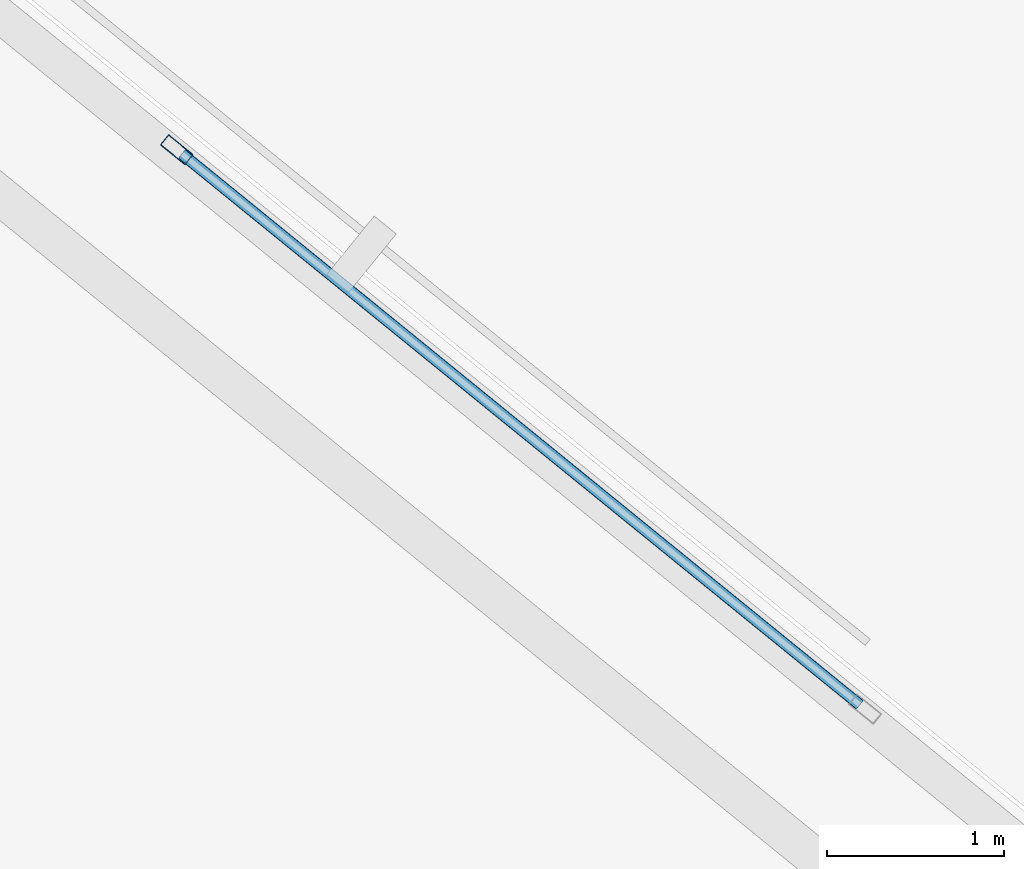
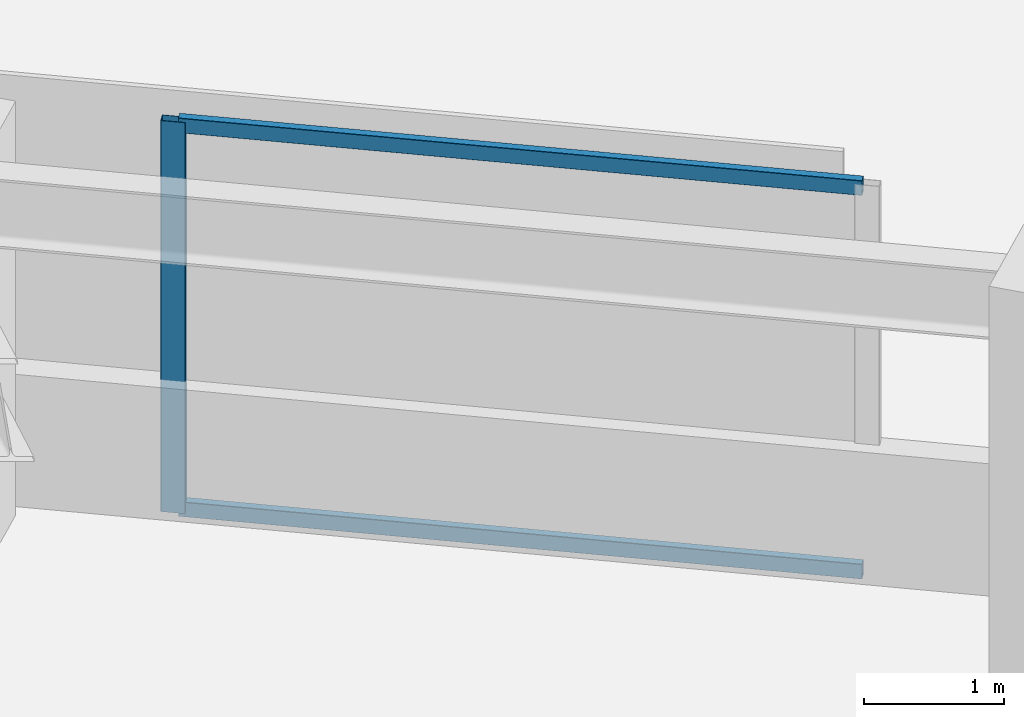
# One storey, part 8 of 19: 3 members, 1 element without a shape of its own.
"""IFC4 building model written with IfcOpenShell, lengths in metres."""

from ifc_helpers import new_model, si_unit, direction, frame, origin, origin_2d, place, context, subcontext, project, spatial, hollow_rectangle, extrude, material, material_profile, profile_set, type_object, element, aggregate, save


model = new_model("IFC4")

# Units and contexts
model_context = context("Model", 3, precision=1e-05, world=origin(), true_north=direction((0.0, 1.0)))
body_context = subcontext(model_context, "Body", "Model", "MODEL_VIEW")
ifc_project = project(units=[si_unit("LENGTHUNIT", "METRE"), si_unit("AREAUNIT", "SQUARE_METRE"), si_unit("VOLUMEUNIT", "CUBIC_METRE"), si_unit("PLANEANGLEUNIT", "RADIAN"), si_unit("MASSUNIT", "GRAM", prefix="KILO")], contexts=[model_context])

# Site, building, storey
site_placement = place(None, origin())
site = spatial("IfcSite", under=ifc_project, at=site_placement, CompositionType="ELEMENT")
building_placement = place(site_placement, origin())
building = spatial("IfcBuilding", under=site, at=building_placement, Name="Narakoshi Arena Tower", CompositionType="ELEMENT")
storey_placement = place(building_placement, frame((0.0, 0.0, 26.699951171875)))
storey = spatial("IfcBuildingStorey", under=building, at=storey_placement, Name="L06", CompositionType="ELEMENT", Elevation=26.699951171875)

# Curtain wall, members
ifc_material = material(Name="Anodised bronze aluminium 6063-T6", Category="aluminium")
curtain_wall_type = type_object("IfcCurtainWallType", Name="CW-HYP-LOW", PredefinedType="NOTDEFINED", material=ifc_material)
curtain_wall_placement = place(storey_placement, origin())
curtain_wall = element("IfcCurtainWall", 1, at=curtain_wall_placement, inside=storey, type_object=curtain_wall_type, Name="L06 Folded Hypotenuse Curtain Wall 2-3", PredefinedType="NOTDEFINED")
ifc_material_profile_1 = material_profile(ifc_material, hollow_rectangle(XDim=0.074951171875, YDim=0.179931640625, WallThickness=0.00390625, OuterFilletRadius=0.0048828125, at=origin_2d()), Name="MUL180x75x4")
ifc_profile_set_1 = profile_set([ifc_material_profile_1], Name="Anodised bronze aluminium 6063-T6")
member_type_1 = type_object("IfcMemberType", Name="MEM-MUL-180", PredefinedType="MULLION", material=ifc_profile_set_1)
member_1_placement = place(storey_placement, frame((77.791015625, 71.8388671875, 0.0), z_axis=(0.0, 0.0, 1.0), x_axis=(-0.630722984816, -0.776008064665, 0.0)))
member_1 = element("IfcMember", 2, at=member_1_placement, type_object=member_type_1, Name="CW-01 mullion 2", PredefinedType="MULLION", context=body_context, shape_type="SweptSolid", body=[
    extrude(hollow_rectangle(XDim=0.074951171875, YDim=0.179931640625, WallThickness=0.00390625, OuterFilletRadius=0.0048828125, at=origin_2d()), origin(), (0.0, 0.0, 1.0), 3.400146484375),
])
ifc_material_profile_2 = material_profile(ifc_material, hollow_rectangle(XDim=0.06494140625, YDim=0.1298828125, WallThickness=0.00390625, OuterFilletRadius=0.0048828125, at=origin_2d()), Name="TRN130x65x4")
ifc_profile_set_2 = profile_set([ifc_material_profile_2], Name="Anodised bronze aluminium 6063-T6")
member_type_2 = type_object("IfcMemberType", Name="MEM-TRN-130", PredefinedType="USERDEFINED", material=ifc_profile_set_2)
member_2_placement = place(storey_placement, frame((81.647705078125, 68.704345703125, 0.032470703125), z_axis=(-0.77600648718, 0.630724925665, 0.0), x_axis=(-0.630724925665, -0.77600648718, 0.0)))
member_2 = element("IfcMember", 3, at=member_2_placement, type_object=member_type_2, Name="CW-01 transom 1.1", ObjectType="TRANSOM", PredefinedType="USERDEFINED", context=body_context, shape_type="SweptSolid", body=[
    extrude(hollow_rectangle(XDim=0.06494140625, YDim=0.1298828125, WallThickness=0.00390625, OuterFilletRadius=0.0048828125, at=origin_2d()), origin(), (0.0, 0.0, 1.0), 4.93212890625),
])
member_3_placement = place(storey_placement, frame((81.647705078125, 68.704345703125, 3.367431640625), z_axis=(-0.77600648718, 0.630724925665, 0.0), x_axis=(-0.630724925665, -0.77600648718, 0.0)))
member_3 = element("IfcMember", 4, at=member_3_placement, type_object=member_type_2, Name="CW-01 transom 1.2", ObjectType="TRANSOM", PredefinedType="USERDEFINED", context=body_context, shape_type="SweptSolid", body=[
    extrude(hollow_rectangle(XDim=0.06494140625, YDim=0.1298828125, WallThickness=0.00390625, OuterFilletRadius=0.0048828125, at=origin_2d()), origin(), (0.0, 0.0, 1.0), 4.93212890625),
])
aggregate(curtain_wall, [member_1, member_2, member_3])

save(model, "model.ifc")
